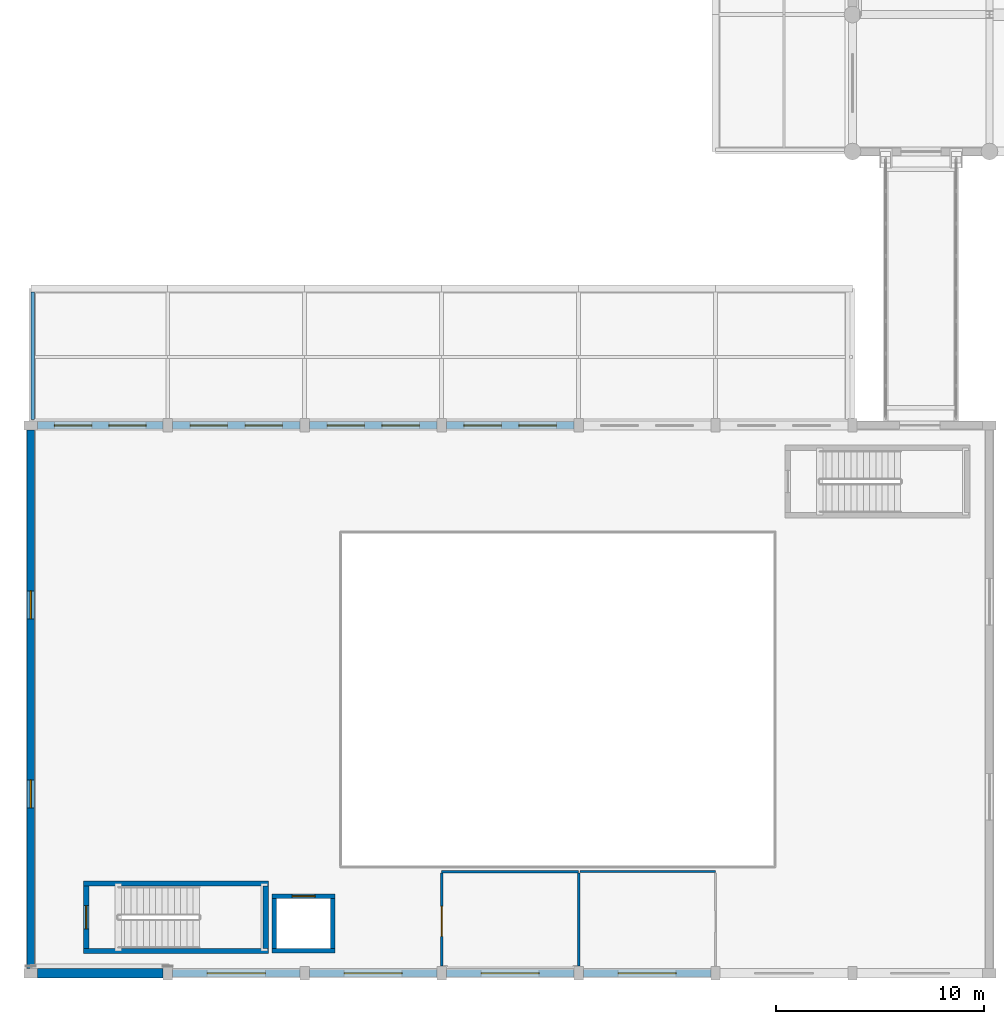
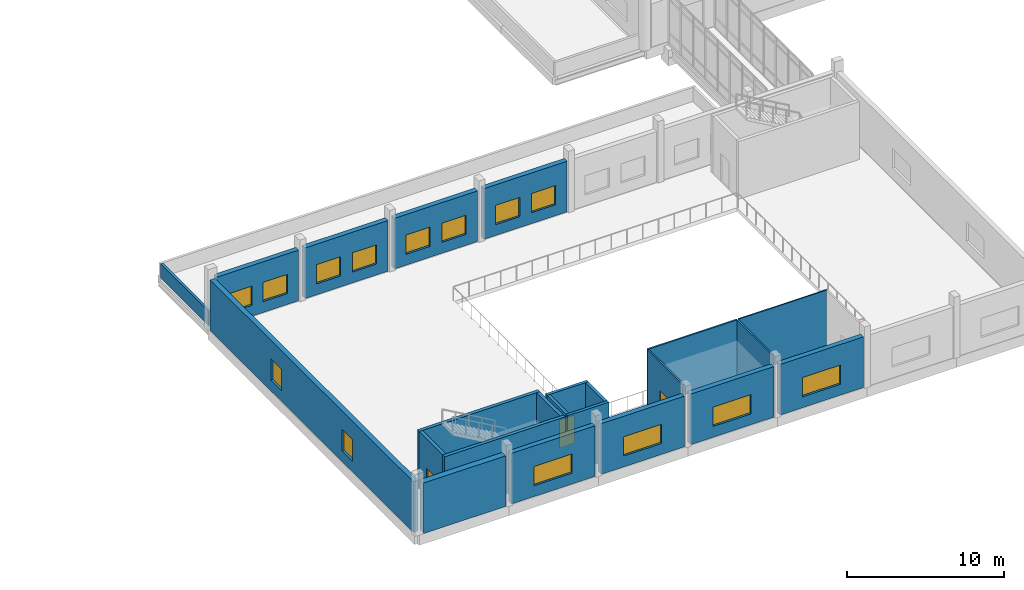
# One storey, part 86 of 125: 23 walls, 14 windows, 3 doors, 17 openings.
"""IFC4 building model written with IfcOpenShell, lengths in metres."""

from ifc_helpers import new_model, si_unit, direction, frame, frame_2d, origin, place, context, subcontext, project, spatial, rectangle, extrude, material, layer, layer_set, type_object, element, fill, save


model = new_model("IFC4")

# Units and contexts
model_context = context("Model", 3, precision=1e-05, world=origin(), true_north=direction((0.0, 1.0)))
body_context = subcontext(model_context, "Body", "Model", "MODEL_VIEW")
ifc_project = project(units=[si_unit("LENGTHUNIT", "METRE"), si_unit("AREAUNIT", "SQUARE_METRE"), si_unit("VOLUMEUNIT", "CUBIC_METRE"), si_unit("PLANEANGLEUNIT", "RADIAN"), si_unit("MASSUNIT", "GRAM", prefix="KILO")], contexts=[model_context])

# Site, building, storey
site_placement = place(None, origin())
site = spatial("IfcSite", under=ifc_project, at=site_placement, CompositionType="ELEMENT")
building_placement = place(site_placement, origin())
building = spatial("IfcBuilding", under=site, at=building_placement, Name="Dornvale Research Institute", CompositionType="ELEMENT")
storey_placement = place(building_placement, frame((0.0, 0.0, 5.39990234375)))
storey = spatial("IfcBuildingStorey", under=building, at=storey_placement, Name="L01", CompositionType="ELEMENT", Elevation=5.39990234375)

# Walls
ifc_material_1 = material(Name="Concrete f'c 40 MPa (C32/40)", Category="concrete")
ifc_layer_1 = layer(ifc_material_1, 0.179931640625)
ifc_layer_set_1 = layer_set([ifc_layer_1], Name="Concrete f'c 40 MPa (C32/40)")
wall_type_1 = type_object("IfcWallType", Name="Parapet_Terrace_180", PredefinedType="PARAPET", material=ifc_layer_set_1)
wall_1_placement = place(storey_placement, frame((0.090087890625, 26.679931640625, 0.0), z_axis=(0.0, 0.0, 1.0), x_axis=(0.0, 1.0, 0.0)))
element("IfcWall", 1, at=wall_1_placement, inside=storey, type_object=wall_type_1, Name="L01 V6-S parapet W", PredefinedType="PARAPET", context=body_context, shape_type="SweptSolid", body=[
    extrude(rectangle(XDim=6.14013671875, YDim=0.179931640625, at=frame_2d((3.070068359375, 0.0))), origin(), (0.0, 0.0, 1.0), 1.1201171875),
])
ifc_material_2 = material(Name="Acoustic Insulated Double-Stud Laboratory Partition")
ifc_layer_2 = layer(ifc_material_2, 0.1201171875)
ifc_layer_set_2 = layer_set([ifc_layer_2], Name="Acoustic Insulated Double-Stud Laboratory Partition")
wall_type_2 = type_object("IfcWallType", Name="Partition_Dry_120", PredefinedType="PARTITIONING", material=ifc_layer_set_2)
wall_2_placement = place(storey_placement, frame((19.800048828125, 4.89990234375, 0.0), z_axis=(0.0, 0.0, 1.0), x_axis=(1.0, 0.0, 0.0)))
element("IfcWall", 2, at=wall_2_placement, inside=storey, type_object=wall_type_2, Name="L01 V1 interior partition #232", PredefinedType="PARTITIONING", context=body_context, shape_type="SweptSolid", body=[
    extrude(rectangle(XDim=6.599853515625, YDim=0.1201171875, at=frame_2d((3.2998046875, 0.0))), origin(), (0.0, 0.0, 1.0), 4.47998046875),
])

# Wall, opening, door
wall_3_placement = place(storey_placement, frame((19.800048828125, 0.344970703125, 0.0), z_axis=(0.0, 0.0, 1.0), x_axis=(0.0, 1.0, 0.0)))
wall_3 = element("IfcWall", 3, at=wall_3_placement, inside=storey, type_object=wall_type_2, Name="L01 V1 interior partition #233", PredefinedType="PARTITIONING", context=body_context, shape_type="SweptSolid", body=[
    extrude(rectangle(XDim=4.47998046875, YDim=0.1201171875, at=frame_2d((2.239990234375, 0.0))), origin(), (0.0, 0.0, 1.0), 4.47998046875),
])
opening_1_placement = place(wall_3_placement, frame((1.43505859375, 0.0, 0.0)))
opening_1 = element("IfcOpeningElement", 4, at=opening_1_placement, cuts=wall_3, Name="Opening ID-07", PredefinedType="OPENING", context=body_context, shape_type="SweptSolid", body=[
    extrude(rectangle(XDim=1.43994140625, YDim=2.25, at=frame_2d((0.719970703125, 1.125))), frame((0.0, 0.074951171875, 0.0), z_axis=(0.0, -1.0, 0.0), x_axis=(1.0, 0.0, 0.0)), (0.0, 0.0, 1.0), 0.150146484375),
])
ifc_material_3 = material(Name="Insulated Fire-Rated Hollow Metal Door Assembly")
door_type_1 = type_object("IfcDoorType", Name="Door_DryLab_1440x2250", OperationType="SINGLE_SWING_LEFT", PredefinedType="DOOR", material=ifc_material_3)
door_1_placement = place(opening_1_placement, origin())
door_1 = element("IfcDoor", 5, at=door_1_placement, inside=storey, type_object=door_type_1, Name="L01 Audiovisual Projection and Simultaneous Interpretation Suite door #93", OperationType="SINGLE_SWING_RIGHT", OverallHeight=2.25, OverallWidth=1.43994140625, PredefinedType="DOOR", context=body_context, shape_type="SweptSolid", body=[
    extrude(rectangle(XDim=1.43994140625, YDim=2.25, at=frame_2d((0.719970703125, 1.125))), frame((0.0, 0.02490234375, 0.0), z_axis=(0.0, -1.0, 0.0), x_axis=(1.0, 0.0, 0.0)), (0.0, 0.0, 1.0), 0.050048828125),
])
fill(opening_1, door_1)

# Walls
wall_4_placement = place(storey_placement, frame((26.39990234375, 0.344970703125, 0.0), z_axis=(0.0, 0.0, 1.0), x_axis=(0.0, 1.0, 0.0)))
element("IfcWall", 6, at=wall_4_placement, inside=storey, type_object=wall_type_2, Name="L01 V1 interior partition #234", PredefinedType="PARTITIONING", context=body_context, shape_type="SweptSolid", body=[
    extrude(rectangle(XDim=4.47998046875, YDim=0.1201171875, at=frame_2d((2.239990234375, 0.0))), origin(), (0.0, 0.0, 1.0), 4.47998046875),
])
ifc_material_4 = material(Name="Acoustic Insulated Double-Stud Laboratory Partition")
ifc_layer_3 = layer(ifc_material_4, 0.10009765625)
ifc_layer_set_3 = layer_set([ifc_layer_3], Name="Acoustic Insulated Double-Stud Laboratory Partition")
wall_type_3 = type_object("IfcWallType", Name="Partition_Office_100", PredefinedType="PARTITIONING", material=ifc_layer_set_3)
wall_5_placement = place(storey_placement, frame((26.47509765625, 4.89990234375, 0.0), z_axis=(0.0, 0.0, 1.0), x_axis=(1.0, 0.0, 0.0)))
element("IfcWall", 7, at=wall_5_placement, inside=storey, type_object=wall_type_3, Name="L01 V1 interior partition #235", PredefinedType="PARTITIONING", context=body_context, shape_type="SweptSolid", body=[
    extrude(rectangle(XDim=6.52490234375, YDim=0.10009765625, at=frame_2d((3.262451171875, 0.0))), origin(), (0.0, 0.0, 1.0), 4.47998046875),
])
ifc_material_5 = material(Name="Concrete f'c 45 MPa (C35/45)", Category="concrete")
ifc_layer_4 = layer(ifc_material_5, 0.25)
ifc_layer_set_4 = layer_set([ifc_layer_4], Name="Concrete f'c 45 MPa (C35/45)")
wall_type_4 = type_object("IfcWallType", Name="ShearWall_Core_250", PredefinedType="SHEAR", material=ifc_layer_set_4)
for number, where, z_axis, x_axis, name in (
    (8, (2.550048828125, 1.074951171875, 0.0), (0.0, 0.0, 1.0), (1.0, 0.0, 0.0), "L01 ST-9 shaft shear wall south"),
    (9, (2.550048828125, 4.324951171875, 0.0), (0.0, 0.0, 1.0), (1.0, 0.0, 0.0), "L01 ST-9 shaft shear wall north"),
):
    element("IfcWall", number, at=place(storey_placement, frame(where, z_axis=z_axis, x_axis=x_axis)), inside=storey, type_object=wall_type_4, Name=name, PredefinedType="SHEAR", context=body_context, shape_type="SweptSolid", body=[
        extrude(rectangle(XDim=8.89990234375, YDim=0.25, at=frame_2d((4.449951171875, 0.0))), origin(), (0.0, 0.0, 1.0), 4.5),
    ])

# Wall, opening, door
wall_6_placement = place(storey_placement, frame((2.675048828125, 1.199951171875, 0.0), z_axis=(0.0, 0.0, 1.0), x_axis=(0.0, 1.0, 0.0)))
wall_6 = element("IfcWall", 10, at=wall_6_placement, inside=storey, type_object=wall_type_4, Name="L01 ST-9 shaft shear wall west", PredefinedType="SHEAR", context=body_context, shape_type="SweptSolid", body=[
    extrude(rectangle(XDim=3.0, YDim=0.25, at=frame_2d((1.5, 0.0))), origin(), (0.0, 0.0, 1.0), 4.5),
])
opening_2_placement = place(wall_6_placement, frame((0.93994140625, 0.0, 0.0)))
opening_2 = element("IfcOpeningElement", 11, at=opening_2_placement, cuts=wall_6, Name="Opening SD-01", PredefinedType="OPENING", context=body_context, shape_type="SweptSolid", body=[
    extrude(rectangle(XDim=1.1201171875, YDim=2.199951171875, at=frame_2d((0.56005859375, 1.10009765625))), frame((0.0, 0.139892578125, 0.0), z_axis=(0.0, -1.0, 0.0), x_axis=(1.0, 0.0, 0.0)), (0.0, 0.0, 1.0), 0.280029296875),
])
ifc_material_6 = material(Name="Insulated Fire-Rated Hollow Metal Door Assembly")
door_type_2 = type_object("IfcDoorType", Name="Door_Stair_1120x2200", OperationType="SINGLE_SWING_LEFT", PredefinedType="DOOR", material=ifc_material_6)
door_2_placement = place(opening_2_placement, origin())
door_2 = element("IfcDoor", 12, at=door_2_placement, inside=storey, type_object=door_type_2, Name="L01 ST-9 exit stair door #60", OperationType="SINGLE_SWING_LEFT", OverallHeight=2.199951171875, OverallWidth=1.1201171875, PredefinedType="DOOR", context=body_context, shape_type="SweptSolid", body=[
    extrude(rectangle(XDim=1.1201171875, YDim=2.199951171875, at=frame_2d((0.56005859375, 1.10009765625))), frame((0.0, 0.02490234375, 0.0), z_axis=(0.0, -1.0, 0.0), x_axis=(1.0, 0.0, 0.0)), (0.0, 0.0, 1.0), 0.050048828125),
])
fill(opening_2, door_2)

# Walls
wall_7_placement = place(storey_placement, frame((11.324951171875, 1.199951171875, 0.0), z_axis=(0.0, 0.0, 1.0), x_axis=(0.0, 1.0, 0.0)))
element("IfcWall", 13, at=wall_7_placement, inside=storey, type_object=wall_type_4, Name="L01 ST-9 shaft shear wall east", PredefinedType="SHEAR", context=body_context, shape_type="SweptSolid", body=[
    extrude(rectangle(XDim=3.0, YDim=0.25, at=frame_2d((1.5, 0.0))), origin(), (0.0, 0.0, 1.0), 4.5),
])
ifc_material_7 = material(Name="Concrete f'c 45 MPa (C35/45)", Category="concrete")
ifc_layer_5 = layer(ifc_material_7, 0.219970703125)
ifc_layer_set_5 = layer_set([ifc_layer_5], Name="Concrete f'c 45 MPa (C35/45)")
wall_type_5 = type_object("IfcWallType", Name="ShearWall_Shaft_220", PredefinedType="SHEAR", material=ifc_layer_set_5)
wall_8_placement = place(storey_placement, frame((11.6298828125, 1.090087890625, 0.0), z_axis=(0.0, 0.0, 1.0), x_axis=(1.0, 0.0, 0.0)))
element("IfcWall", 14, at=wall_8_placement, inside=storey, type_object=wall_type_5, Name="L01 LP4 elevator shaft wall south", PredefinedType="SHEAR", context=body_context, shape_type="SweptSolid", body=[
    extrude(rectangle(XDim=3.0400390625, YDim=0.219970703125, at=frame_2d((1.52001953125, 0.0))), origin(), (0.0, 0.0, 1.0), 4.5),
])

# Wall, opening, door
wall_9_placement = place(storey_placement, frame((11.6298828125, 3.7099609375, 0.0), z_axis=(0.0, 0.0, 1.0), x_axis=(1.0, 0.0, 0.0)))
wall_9 = element("IfcWall", 15, at=wall_9_placement, inside=storey, type_object=wall_type_5, Name="L01 LP4 elevator shaft wall north", PredefinedType="SHEAR", context=body_context, shape_type="SweptSolid", body=[
    extrude(rectangle(XDim=3.0400390625, YDim=0.219970703125, at=frame_2d((1.52001953125, 0.0))), origin(), (0.0, 0.0, 1.0), 4.5),
])
opening_3_placement = place(wall_9_placement, frame((0.969970703125, 0.0, 0.0)))
opening_3 = element("IfcOpeningElement", 16, at=opening_3_placement, cuts=wall_9, Name="Opening LD-02", PredefinedType="OPENING", context=body_context, shape_type="SweptSolid", body=[
    extrude(rectangle(XDim=1.10009765625, YDim=2.199951171875, at=frame_2d((0.550048828125, 1.10009765625))), frame((0.0, 0.125, 0.0), z_axis=(0.0, -1.0, 0.0), x_axis=(1.0, 0.0, 0.0)), (0.0, 0.0, 1.0), 0.25),
])
ifc_material_8 = material(Name="Brushed Stainless Steel Sliding Elevator Landing Door", Category="steel")
door_type_3 = type_object("IfcDoorType", Name="Door_LiftLanding_Pass_1100x2200", OperationType="SINGLE_SWING_LEFT", PredefinedType="DOOR", material=ifc_material_8)
door_3_placement = place(opening_3_placement, origin())
door_3 = element("IfcDoor", 17, at=door_3_placement, inside=storey, type_object=door_type_3, Name="L01 LP4 sliding elevator landing door #63", OperationType="SLIDING_TO_LEFT", OverallHeight=2.199951171875, OverallWidth=1.10009765625, PredefinedType="DOOR", context=body_context, shape_type="SweptSolid", body=[
    extrude(rectangle(XDim=1.10009765625, YDim=2.199951171875, at=frame_2d((0.550048828125, 1.10009765625))), frame((0.0, 0.02490234375, 0.0), z_axis=(0.0, -1.0, 0.0), x_axis=(1.0, 0.0, 0.0)), (0.0, 0.0, 1.0), 0.050048828125),
])
fill(opening_3, door_3)

# Walls
for number, where, z_axis, x_axis, name in (
    (18, (11.739990234375, 1.199951171875, 0.0), (0.0, 0.0, 1.0), (0.0, 1.0, 0.0), "L01 LP4 elevator shaft wall west"),
    (19, (14.56005859375, 1.199951171875, 0.0), (0.0, 0.0, 1.0), (0.0, 1.0, 0.0), "L01 LP4 elevator shaft wall east"),
):
    element("IfcWall", number, at=place(storey_placement, frame(where, z_axis=z_axis, x_axis=x_axis)), inside=storey, type_object=wall_type_5, Name=name, PredefinedType="SHEAR", context=body_context, shape_type="SweptSolid", body=[
        extrude(rectangle(XDim=2.400146484375, YDim=0.219970703125, at=frame_2d((1.2001953125, 0.0))), origin(), (0.0, 0.0, 1.0), 4.5),
    ])
ifc_material_9 = material(Name="Precast Concrete f'c 40 MPa (C32/40) and Glazed Terracotta Backup Wall", Category="masonry")
ifc_layer_6 = layer(ifc_material_9, 0.449951171875)
ifc_layer_set_6 = layer_set([ifc_layer_6], Name="Precast Concrete f'c 40 MPa (C32/40) and Glazed Terracotta Backup Wall")
wall_type_6 = type_object("IfcWallType", Name="SolidWall_ShearBraceBay_450", PredefinedType="SOLIDWALL", material=ifc_layer_set_6)
wall_10_placement = place(storey_placement, frame((6.375, 0.0, 0.0), z_axis=(0.0, 0.0, 1.0), x_axis=(-1.0, 0.0, 0.0)))
element("IfcWall", 20, at=wall_10_placement, inside=storey, type_object=wall_type_6, Name="L01 V1 south exterior wall #32", PredefinedType="SOLIDWALL", context=body_context, shape_type="SweptSolid", body=[
    extrude(rectangle(XDim=6.050048828125, YDim=0.449951171875, at=frame_2d((3.02490234375, 0.0))), origin(), (0.0, 0.0, 1.0), 3.9501953125),
])

# Wall, openings, windows
ifc_material_10 = material(Name="Catalan Pressed Brick and Insulated Cavity Assembly", Category="masonry")
ifc_layer_7 = layer(ifc_material_10, 0.360107421875)
ifc_layer_set_7 = layer_set([ifc_layer_7], Name="Catalan Pressed Brick and Insulated Cavity Assembly")
wall_type_7 = type_object("IfcWallType", Name="StandardWall_BrickCavity_360", PredefinedType="STANDARD", material=ifc_layer_set_7)
wall_11_placement = place(storey_placement, frame((0.0, 0.22509765625, 0.0), z_axis=(0.0, 0.0, 1.0), x_axis=(0.0, 1.0, 0.0)))
wall_11 = element("IfcWall", 21, at=wall_11_placement, inside=storey, type_object=wall_type_7, Name="L01 V1 west exterior wall #17", PredefinedType="STANDARD", context=body_context, shape_type="SweptSolid", body=[
    extrude(rectangle(XDim=25.949951171875, YDim=0.360107421875, at=frame_2d((12.97509765625, 0.0))), origin(), (0.0, 0.0, 1.0), 3.9501953125),
])
opening_4_placement = place(wall_11_placement, frame((7.75, 0.0, 0.85009765625)))
opening_4 = element("IfcOpeningElement", 22, at=opening_4_placement, cuts=wall_11, Name="Opening W-02", PredefinedType="OPENING", context=body_context, shape_type="SweptSolid", body=[
    extrude(rectangle(XDim=1.35009765625, YDim=1.659912109375, at=frame_2d((0.675048828125, 0.830078125))), frame((0.0, 0.195068359375, 0.0), z_axis=(0.0, -1.0, 0.0), x_axis=(1.0, 0.0, 0.0)), (0.0, 0.0, 1.0), 0.39013671875),
])
opening_5_placement = place(wall_11_placement, frame((16.85009765625, 0.0, 0.85009765625)))
opening_5 = element("IfcOpeningElement", 23, at=opening_5_placement, cuts=wall_11, Name="Opening W-02", PredefinedType="OPENING", context=body_context, shape_type="SweptSolid", body=[
    extrude(rectangle(XDim=1.35009765625, YDim=1.659912109375, at=frame_2d((0.675048828125, 0.830078125))), frame((0.0, 0.195068359375, 0.0), z_axis=(0.0, -1.0, 0.0), x_axis=(1.0, 0.0, 0.0)), (0.0, 0.0, 1.0), 0.39013671875),
])
ifc_material_11 = material(Name="Low-E Argon Double Insulating Glazing Unit", Category="glass")
window_type_1 = type_object("IfcWindowType", Name="Window_Alu_1350x1660_02", PartitioningType="SINGLE_PANEL", PredefinedType="WINDOW", material=ifc_material_11)
window_1_placement = place(opening_4_placement, origin())
window_1 = element("IfcWindow", 24, at=window_1_placement, inside=storey, type_object=window_type_1, Name="L01 V1 facade window W-02 #21", OverallHeight=1.659912109375, OverallWidth=1.35009765625, PartitioningType="SINGLE_PANEL", PredefinedType="WINDOW", context=body_context, shape_type="SweptSolid", body=[
    extrude(rectangle(XDim=1.35009765625, YDim=1.659912109375, at=frame_2d((0.675048828125, 0.830078125))), frame((0.0, 0.030029296875, 0.0), z_axis=(0.0, -1.0, 0.0), x_axis=(1.0, 0.0, 0.0)), (0.0, 0.0, 1.0), 0.06005859375),
])
fill(opening_4, window_1)
window_2_placement = place(opening_5_placement, origin())
window_2 = element("IfcWindow", 25, at=window_2_placement, inside=storey, type_object=window_type_1, Name="L01 V1 facade window W-02 #22", OverallHeight=1.659912109375, OverallWidth=1.35009765625, PartitioningType="SINGLE_PANEL", PredefinedType="WINDOW", context=body_context, shape_type="SweptSolid", body=[
    extrude(rectangle(XDim=1.35009765625, YDim=1.659912109375, at=frame_2d((0.675048828125, 0.830078125))), frame((0.0, 0.030029296875, 0.0), z_axis=(0.0, -1.0, 0.0), x_axis=(1.0, 0.0, 0.0)), (0.0, 0.0, 1.0), 0.06005859375),
])
fill(opening_5, window_2)

wall_12_placement = place(storey_placement, frame((0.324951171875, 26.39990234375, 0.0), z_axis=(0.0, 0.0, 1.0), x_axis=(1.0, 0.0, 0.0)))
wall_12 = element("IfcWall", 26, at=wall_12_placement, inside=storey, type_object=wall_type_7, Name="L01 V1 north exterior wall #18", PredefinedType="STANDARD", context=body_context, shape_type="SweptSolid", body=[
    extrude(rectangle(XDim=6.050048828125, YDim=0.360107421875, at=frame_2d((3.02490234375, 0.0))), origin(), (0.0, 0.0, 1.0), 3.9501953125),
])
opening_6_placement = place(wall_12_placement, frame((0.816650390625, 0.0, 0.85009765625)))
opening_6 = element("IfcOpeningElement", 27, at=opening_6_placement, cuts=wall_12, Name="Opening W-05", PredefinedType="OPENING", context=body_context, shape_type="SweptSolid", body=[
    extrude(rectangle(XDim=1.800048828125, YDim=1.5, at=frame_2d((0.89990234375, 0.75))), frame((0.0, 0.195068359375, 0.0), z_axis=(0.0, -1.0, 0.0), x_axis=(1.0, 0.0, 0.0)), (0.0, 0.0, 1.0), 0.39013671875),
])
opening_7_placement = place(wall_12_placement, frame((3.433349609375, 0.0, 0.85009765625)))
opening_7 = element("IfcOpeningElement", 28, at=opening_7_placement, cuts=wall_12, Name="Opening W-05", PredefinedType="OPENING", context=body_context, shape_type="SweptSolid", body=[
    extrude(rectangle(XDim=1.800048828125, YDim=1.5, at=frame_2d((0.89990234375, 0.75))), frame((0.0, 0.195068359375, 0.0), z_axis=(0.0, -1.0, 0.0), x_axis=(1.0, 0.0, 0.0)), (0.0, 0.0, 1.0), 0.39013671875),
])
ifc_material_12 = material(Name="Low-E Argon Double Insulating Glazing Unit", Category="glass")
window_type_2 = type_object("IfcWindowType", Name="Window_Alu_1800x1500_05", PartitioningType="DOUBLE_PANEL_VERTICAL", PredefinedType="WINDOW", material=ifc_material_12)
window_3_placement = place(opening_6_placement, origin())
window_3 = element("IfcWindow", 29, at=window_3_placement, inside=storey, type_object=window_type_2, Name="L01 V1 facade window W-05 #23", OverallHeight=1.5, OverallWidth=1.800048828125, PartitioningType="DOUBLE_PANEL_VERTICAL", PredefinedType="WINDOW", context=body_context, shape_type="SweptSolid", body=[
    extrude(rectangle(XDim=1.800048828125, YDim=1.5, at=frame_2d((0.89990234375, 0.75))), frame((0.0, 0.030029296875, 0.0), z_axis=(0.0, -1.0, 0.0), x_axis=(1.0, 0.0, 0.0)), (0.0, 0.0, 1.0), 0.06005859375),
])
fill(opening_6, window_3)
window_4_placement = place(opening_7_placement, origin())
window_4 = element("IfcWindow", 30, at=window_4_placement, inside=storey, type_object=window_type_2, Name="L01 V1 facade window W-05 #24", OverallHeight=1.5, OverallWidth=1.800048828125, PartitioningType="DOUBLE_PANEL_VERTICAL", PredefinedType="WINDOW", context=body_context, shape_type="SweptSolid", body=[
    extrude(rectangle(XDim=1.800048828125, YDim=1.5, at=frame_2d((0.89990234375, 0.75))), frame((0.0, 0.030029296875, 0.0), z_axis=(0.0, -1.0, 0.0), x_axis=(1.0, 0.0, 0.0)), (0.0, 0.0, 1.0), 0.06005859375),
])
fill(opening_7, window_4)

wall_13_placement = place(storey_placement, frame((6.824951171875, 26.39990234375, 0.0), z_axis=(0.0, 0.0, 1.0), x_axis=(1.0, 0.0, 0.0)))
wall_13 = element("IfcWall", 31, at=wall_13_placement, inside=storey, type_object=wall_type_7, Name="L01 V1 north exterior wall #19", PredefinedType="STANDARD", context=body_context, shape_type="SweptSolid", body=[
    extrude(rectangle(XDim=6.150146484375, YDim=0.360107421875, at=frame_2d((3.0751953125, 0.0))), origin(), (0.0, 0.0, 1.0), 3.9501953125),
])
opening_8_placement = place(wall_13_placement, frame((0.85009765625, 0.0, 0.85009765625)))
opening_8 = element("IfcOpeningElement", 32, at=opening_8_placement, cuts=wall_13, Name="Opening W-05", PredefinedType="OPENING", context=body_context, shape_type="SweptSolid", body=[
    extrude(rectangle(XDim=1.800048828125, YDim=1.5, at=frame_2d((0.89990234375, 0.75))), frame((0.0, 0.195068359375, 0.0), z_axis=(0.0, -1.0, 0.0), x_axis=(1.0, 0.0, 0.0)), (0.0, 0.0, 1.0), 0.39013671875),
])
opening_9_placement = place(wall_13_placement, frame((3.5, 0.0, 0.85009765625)))
opening_9 = element("IfcOpeningElement", 33, at=opening_9_placement, cuts=wall_13, Name="Opening W-05", PredefinedType="OPENING", context=body_context, shape_type="SweptSolid", body=[
    extrude(rectangle(XDim=1.800048828125, YDim=1.5, at=frame_2d((0.89990234375, 0.75))), frame((0.0, 0.195068359375, 0.0), z_axis=(0.0, -1.0, 0.0), x_axis=(1.0, 0.0, 0.0)), (0.0, 0.0, 1.0), 0.39013671875),
])
window_5_placement = place(opening_8_placement, origin())
window_5 = element("IfcWindow", 34, at=window_5_placement, inside=storey, type_object=window_type_2, Name="L01 V1 facade window W-05 #25", OverallHeight=1.5, OverallWidth=1.800048828125, PartitioningType="DOUBLE_PANEL_VERTICAL", PredefinedType="WINDOW", context=body_context, shape_type="SweptSolid", body=[
    extrude(rectangle(XDim=1.800048828125, YDim=1.5, at=frame_2d((0.89990234375, 0.75))), frame((0.0, 0.030029296875, 0.0), z_axis=(0.0, -1.0, 0.0), x_axis=(1.0, 0.0, 0.0)), (0.0, 0.0, 1.0), 0.06005859375),
])
fill(opening_8, window_5)
window_6_placement = place(opening_9_placement, origin())
window_6 = element("IfcWindow", 35, at=window_6_placement, inside=storey, type_object=window_type_2, Name="L01 V1 facade window W-05 #26", OverallHeight=1.5, OverallWidth=1.800048828125, PartitioningType="DOUBLE_PANEL_VERTICAL", PredefinedType="WINDOW", context=body_context, shape_type="SweptSolid", body=[
    extrude(rectangle(XDim=1.800048828125, YDim=1.5, at=frame_2d((0.89990234375, 0.75))), frame((0.0, 0.030029296875, 0.0), z_axis=(0.0, -1.0, 0.0), x_axis=(1.0, 0.0, 0.0)), (0.0, 0.0, 1.0), 0.06005859375),
])
fill(opening_9, window_6)

wall_14_placement = place(storey_placement, frame((13.425048828125, 26.39990234375, 0.0), z_axis=(0.0, 0.0, 1.0), x_axis=(1.0, 0.0, 0.0)))
wall_14 = element("IfcWall", 36, at=wall_14_placement, inside=storey, type_object=wall_type_7, Name="L01 V1 north exterior wall #20", PredefinedType="STANDARD", context=body_context, shape_type="SweptSolid", body=[
    extrude(rectangle(XDim=6.14990234375, YDim=0.360107421875, at=frame_2d((3.074951171875, 0.0))), origin(), (0.0, 0.0, 1.0), 3.9501953125),
])
opening_10_placement = place(wall_14_placement, frame((0.85009765625, 0.0, 0.85009765625)))
opening_10 = element("IfcOpeningElement", 37, at=opening_10_placement, cuts=wall_14, Name="Opening W-05", PredefinedType="OPENING", context=body_context, shape_type="SweptSolid", body=[
    extrude(rectangle(XDim=1.800048828125, YDim=1.5, at=frame_2d((0.89990234375, 0.75))), frame((0.0, 0.195068359375, 0.0), z_axis=(0.0, -1.0, 0.0), x_axis=(1.0, 0.0, 0.0)), (0.0, 0.0, 1.0), 0.39013671875),
])
opening_11_placement = place(wall_14_placement, frame((3.5, 0.0, 0.85009765625)))
opening_11 = element("IfcOpeningElement", 38, at=opening_11_placement, cuts=wall_14, Name="Opening W-05", PredefinedType="OPENING", context=body_context, shape_type="SweptSolid", body=[
    extrude(rectangle(XDim=1.800048828125, YDim=1.5, at=frame_2d((0.89990234375, 0.75))), frame((0.0, 0.195068359375, 0.0), z_axis=(0.0, -1.0, 0.0), x_axis=(1.0, 0.0, 0.0)), (0.0, 0.0, 1.0), 0.39013671875),
])
window_7_placement = place(opening_10_placement, origin())
window_7 = element("IfcWindow", 39, at=window_7_placement, inside=storey, type_object=window_type_2, Name="L01 V1 facade window W-05 #27", OverallHeight=1.5, OverallWidth=1.800048828125, PartitioningType="DOUBLE_PANEL_VERTICAL", PredefinedType="WINDOW", context=body_context, shape_type="SweptSolid", body=[
    extrude(rectangle(XDim=1.800048828125, YDim=1.5, at=frame_2d((0.89990234375, 0.75))), frame((0.0, 0.030029296875, 0.0), z_axis=(0.0, -1.0, 0.0), x_axis=(1.0, 0.0, 0.0)), (0.0, 0.0, 1.0), 0.06005859375),
])
fill(opening_10, window_7)
window_8_placement = place(opening_11_placement, origin())
window_8 = element("IfcWindow", 40, at=window_8_placement, inside=storey, type_object=window_type_2, Name="L01 V1 facade window W-05 #28", OverallHeight=1.5, OverallWidth=1.800048828125, PartitioningType="DOUBLE_PANEL_VERTICAL", PredefinedType="WINDOW", context=body_context, shape_type="SweptSolid", body=[
    extrude(rectangle(XDim=1.800048828125, YDim=1.5, at=frame_2d((0.89990234375, 0.75))), frame((0.0, 0.030029296875, 0.0), z_axis=(0.0, -1.0, 0.0), x_axis=(1.0, 0.0, 0.0)), (0.0, 0.0, 1.0), 0.06005859375),
])
fill(opening_11, window_8)

wall_15_placement = place(storey_placement, frame((20.02490234375, 26.39990234375, 0.0), z_axis=(0.0, 0.0, 1.0), x_axis=(1.0, 0.0, 0.0)))
wall_15 = element("IfcWall", 41, at=wall_15_placement, inside=storey, type_object=wall_type_7, Name="L01 V1 north exterior wall #21", PredefinedType="STANDARD", context=body_context, shape_type="SweptSolid", body=[
    extrude(rectangle(XDim=6.150146484375, YDim=0.360107421875, at=frame_2d((3.0751953125, 0.0))), origin(), (0.0, 0.0, 1.0), 3.9501953125),
])
opening_12_placement = place(wall_15_placement, frame((0.85009765625, 0.0, 0.85009765625)))
opening_12 = element("IfcOpeningElement", 42, at=opening_12_placement, cuts=wall_15, Name="Opening W-05", PredefinedType="OPENING", context=body_context, shape_type="SweptSolid", body=[
    extrude(rectangle(XDim=1.800048828125, YDim=1.5, at=frame_2d((0.89990234375, 0.75))), frame((0.0, 0.195068359375, 0.0), z_axis=(0.0, -1.0, 0.0), x_axis=(1.0, 0.0, 0.0)), (0.0, 0.0, 1.0), 0.39013671875),
])
opening_13_placement = place(wall_15_placement, frame((3.5, 0.0, 0.85009765625)))
opening_13 = element("IfcOpeningElement", 43, at=opening_13_placement, cuts=wall_15, Name="Opening W-05", PredefinedType="OPENING", context=body_context, shape_type="SweptSolid", body=[
    extrude(rectangle(XDim=1.800048828125, YDim=1.5, at=frame_2d((0.89990234375, 0.75))), frame((0.0, 0.195068359375, 0.0), z_axis=(0.0, -1.0, 0.0), x_axis=(1.0, 0.0, 0.0)), (0.0, 0.0, 1.0), 0.39013671875),
])
window_9_placement = place(opening_12_placement, origin())
window_9 = element("IfcWindow", 44, at=window_9_placement, inside=storey, type_object=window_type_2, Name="L01 V1 facade window W-05 #29", OverallHeight=1.5, OverallWidth=1.800048828125, PartitioningType="DOUBLE_PANEL_VERTICAL", PredefinedType="WINDOW", context=body_context, shape_type="SweptSolid", body=[
    extrude(rectangle(XDim=1.800048828125, YDim=1.5, at=frame_2d((0.89990234375, 0.75))), frame((0.0, 0.030029296875, 0.0), z_axis=(0.0, -1.0, 0.0), x_axis=(1.0, 0.0, 0.0)), (0.0, 0.0, 1.0), 0.06005859375),
])
fill(opening_12, window_9)
window_10_placement = place(opening_13_placement, origin())
window_10 = element("IfcWindow", 45, at=window_10_placement, inside=storey, type_object=window_type_2, Name="L01 V1 facade window W-05 #30", OverallHeight=1.5, OverallWidth=1.800048828125, PartitioningType="DOUBLE_PANEL_VERTICAL", PredefinedType="WINDOW", context=body_context, shape_type="SweptSolid", body=[
    extrude(rectangle(XDim=1.800048828125, YDim=1.5, at=frame_2d((0.89990234375, 0.75))), frame((0.0, 0.030029296875, 0.0), z_axis=(0.0, -1.0, 0.0), x_axis=(1.0, 0.0, 0.0)), (0.0, 0.0, 1.0), 0.06005859375),
])
fill(opening_13, window_10)

# Wall, opening, window
wall_16_placement = place(storey_placement, frame((32.77490234375, 0.0, 0.0), z_axis=(0.0, 0.0, 1.0), x_axis=(-1.0, 0.0, 0.0)))
wall_16 = element("IfcWall", 46, at=wall_16_placement, inside=storey, type_object=wall_type_7, Name="L01 V1 south exterior wall #28", PredefinedType="STANDARD", context=body_context, shape_type="SweptSolid", body=[
    extrude(rectangle(XDim=6.14990234375, YDim=0.360107421875, at=frame_2d((3.074951171875, 0.0))), origin(), (0.0, 0.0, 1.0), 3.9501953125),
])
opening_14_placement = place(wall_16_placement, frame((1.675048828125, 0.0, 0.85009765625)))
opening_14 = element("IfcOpeningElement", 47, at=opening_14_placement, cuts=wall_16, Name="Opening W-11", PredefinedType="OPENING", context=body_context, shape_type="SweptSolid", body=[
    extrude(rectangle(XDim=2.800048828125, YDim=1.5, at=frame_2d((1.39990234375, 0.75))), frame((0.0, 0.195068359375, 0.0), z_axis=(0.0, -1.0, 0.0), x_axis=(1.0, 0.0, 0.0)), (0.0, 0.0, 1.0), 0.39013671875),
])
ifc_material_13 = material(Name="Low-E Argon Double Insulating Glazing Unit", Category="glass")
window_type_3 = type_object("IfcWindowType", Name="Window_Alu_2800x1500_11", PartitioningType="DOUBLE_PANEL_VERTICAL", PredefinedType="WINDOW", material=ifc_material_13)
window_11_placement = place(opening_14_placement, origin())
window_11 = element("IfcWindow", 48, at=window_11_placement, inside=storey, type_object=window_type_3, Name="L01 V1 facade window W-11 #39", OverallHeight=1.5, OverallWidth=2.800048828125, PartitioningType="DOUBLE_PANEL_VERTICAL", PredefinedType="WINDOW", context=body_context, shape_type="SweptSolid", body=[
    extrude(rectangle(XDim=2.800048828125, YDim=1.5, at=frame_2d((1.39990234375, 0.75))), frame((0.0, 0.030029296875, 0.0), z_axis=(0.0, -1.0, 0.0), x_axis=(1.0, 0.0, 0.0)), (0.0, 0.0, 1.0), 0.06005859375),
])
fill(opening_14, window_11)

wall_17_placement = place(storey_placement, frame((26.175048828125, 0.0, 0.0), z_axis=(0.0, 0.0, 1.0), x_axis=(-1.0, 0.0, 0.0)))
wall_17 = element("IfcWall", 49, at=wall_17_placement, inside=storey, type_object=wall_type_7, Name="L01 V1 south exterior wall #29", PredefinedType="STANDARD", context=body_context, shape_type="SweptSolid", body=[
    extrude(rectangle(XDim=6.150146484375, YDim=0.360107421875, at=frame_2d((3.0751953125, 0.0))), origin(), (0.0, 0.0, 1.0), 3.9501953125),
])
opening_15_placement = place(wall_17_placement, frame((1.675048828125, 0.0, 0.85009765625)))
opening_15 = element("IfcOpeningElement", 50, at=opening_15_placement, cuts=wall_17, Name="Opening W-11", PredefinedType="OPENING", context=body_context, shape_type="SweptSolid", body=[
    extrude(rectangle(XDim=2.800048828125, YDim=1.5, at=frame_2d((1.39990234375, 0.75))), frame((0.0, 0.195068359375, 0.0), z_axis=(0.0, -1.0, 0.0), x_axis=(1.0, 0.0, 0.0)), (0.0, 0.0, 1.0), 0.39013671875),
])
window_12_placement = place(opening_15_placement, origin())
window_12 = element("IfcWindow", 51, at=window_12_placement, inside=storey, type_object=window_type_3, Name="L01 V1 facade window W-11 #40", OverallHeight=1.5, OverallWidth=2.800048828125, PartitioningType="DOUBLE_PANEL_VERTICAL", PredefinedType="WINDOW", context=body_context, shape_type="SweptSolid", body=[
    extrude(rectangle(XDim=2.800048828125, YDim=1.5, at=frame_2d((1.39990234375, 0.75))), frame((0.0, 0.030029296875, 0.0), z_axis=(0.0, -1.0, 0.0), x_axis=(1.0, 0.0, 0.0)), (0.0, 0.0, 1.0), 0.06005859375),
])
fill(opening_15, window_12)

wall_18_placement = place(storey_placement, frame((19.574951171875, 0.0, 0.0), z_axis=(0.0, 0.0, 1.0), x_axis=(-1.0, 0.0, 0.0)))
wall_18 = element("IfcWall", 52, at=wall_18_placement, inside=storey, type_object=wall_type_7, Name="L01 V1 south exterior wall #30", PredefinedType="STANDARD", context=body_context, shape_type="SweptSolid", body=[
    extrude(rectangle(XDim=6.14990234375, YDim=0.360107421875, at=frame_2d((3.074951171875, 0.0))), origin(), (0.0, 0.0, 1.0), 3.9501953125),
])
opening_16_placement = place(wall_18_placement, frame((1.675048828125, 0.0, 0.85009765625)))
opening_16 = element("IfcOpeningElement", 53, at=opening_16_placement, cuts=wall_18, Name="Opening W-11", PredefinedType="OPENING", context=body_context, shape_type="SweptSolid", body=[
    extrude(rectangle(XDim=2.800048828125, YDim=1.5, at=frame_2d((1.39990234375, 0.75))), frame((0.0, 0.195068359375, 0.0), z_axis=(0.0, -1.0, 0.0), x_axis=(1.0, 0.0, 0.0)), (0.0, 0.0, 1.0), 0.39013671875),
])
window_13_placement = place(opening_16_placement, origin())
window_13 = element("IfcWindow", 54, at=window_13_placement, inside=storey, type_object=window_type_3, Name="L01 V1 facade window W-11 #41", OverallHeight=1.5, OverallWidth=2.800048828125, PartitioningType="DOUBLE_PANEL_VERTICAL", PredefinedType="WINDOW", context=body_context, shape_type="SweptSolid", body=[
    extrude(rectangle(XDim=2.800048828125, YDim=1.5, at=frame_2d((1.39990234375, 0.75))), frame((0.0, 0.030029296875, 0.0), z_axis=(0.0, -1.0, 0.0), x_axis=(1.0, 0.0, 0.0)), (0.0, 0.0, 1.0), 0.06005859375),
])
fill(opening_16, window_13)

wall_19_placement = place(storey_placement, frame((12.97509765625, 0.0, 0.0), z_axis=(0.0, 0.0, 1.0), x_axis=(-1.0, 0.0, 0.0)))
wall_19 = element("IfcWall", 55, at=wall_19_placement, inside=storey, type_object=wall_type_7, Name="L01 V1 south exterior wall #31", PredefinedType="STANDARD", context=body_context, shape_type="SweptSolid", body=[
    extrude(rectangle(XDim=6.150146484375, YDim=0.360107421875, at=frame_2d((3.0751953125, 0.0))), origin(), (0.0, 0.0, 1.0), 3.9501953125),
])
opening_17_placement = place(wall_19_placement, frame((1.675048828125, 0.0, 0.85009765625)))
opening_17 = element("IfcOpeningElement", 56, at=opening_17_placement, cuts=wall_19, Name="Opening W-11", PredefinedType="OPENING", context=body_context, shape_type="SweptSolid", body=[
    extrude(rectangle(XDim=2.800048828125, YDim=1.5, at=frame_2d((1.39990234375, 0.75))), frame((0.0, 0.195068359375, 0.0), z_axis=(0.0, -1.0, 0.0), x_axis=(1.0, 0.0, 0.0)), (0.0, 0.0, 1.0), 0.39013671875),
])
window_14_placement = place(opening_17_placement, origin())
window_14 = element("IfcWindow", 57, at=window_14_placement, inside=storey, type_object=window_type_3, Name="L01 V1 facade window W-11 #42", OverallHeight=1.5, OverallWidth=2.800048828125, PartitioningType="DOUBLE_PANEL_VERTICAL", PredefinedType="WINDOW", context=body_context, shape_type="SweptSolid", body=[
    extrude(rectangle(XDim=2.800048828125, YDim=1.5, at=frame_2d((1.39990234375, 0.75))), frame((0.0, 0.030029296875, 0.0), z_axis=(0.0, -1.0, 0.0), x_axis=(1.0, 0.0, 0.0)), (0.0, 0.0, 1.0), 0.06005859375),
])
fill(opening_17, window_14)

save(model, "model.ifc")
